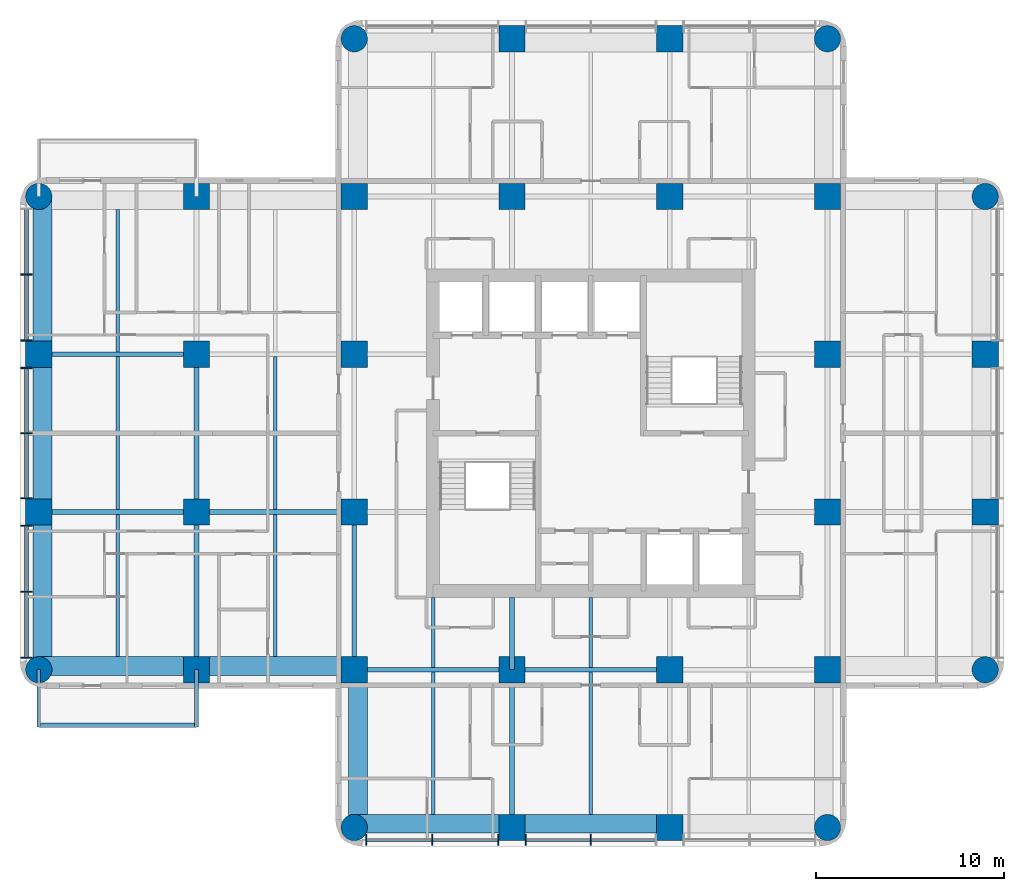
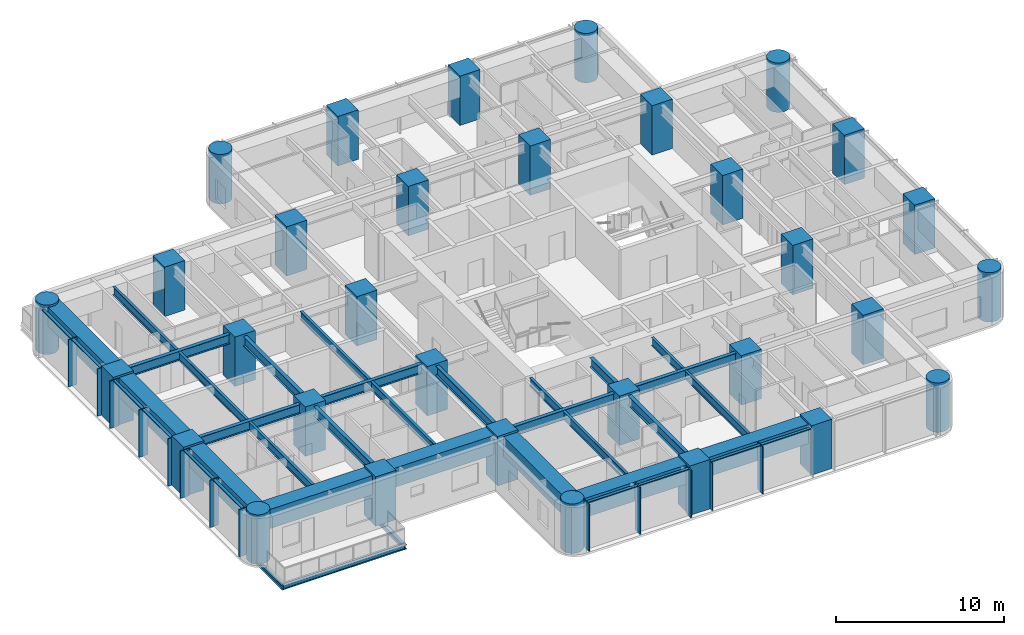
# One storey, part 1 of 11: 32 columns, 30 beams, 23 members, 2 elements without a shape of their own.
"""IFC4 building model written with IfcOpenShell, lengths in metres."""

from ifc_helpers import new_model, si_unit, direction, frame, origin, origin_2d, place, context, subcontext, project, spatial, rectangle, circle, i_section, extrude, material, material_profile, profile_set, type_object, element, aggregate, save


model = new_model("IFC4")

# Units and contexts
model_context = context("Model", 3, precision=1e-05, world=origin(), true_north=direction((0.0, 1.0)))
body_context = subcontext(model_context, "Body", "Model", "MODEL_VIEW")
ifc_project = project(units=[si_unit("LENGTHUNIT", "METRE"), si_unit("AREAUNIT", "SQUARE_METRE"), si_unit("VOLUMEUNIT", "CUBIC_METRE"), si_unit("PLANEANGLEUNIT", "RADIAN"), si_unit("MASSUNIT", "GRAM", prefix="KILO")], contexts=[model_context])

# Site, building, storey
site_placement = place(None, origin())
site = spatial("IfcSite", under=ifc_project, at=site_placement, CompositionType="ELEMENT")
building_placement = place(site_placement, origin())
building = spatial("IfcBuilding", under=site, at=building_placement, Name="Torre Alcanfor", CompositionType="ELEMENT")
storey_placement = place(building_placement, frame((0.0, 0.0, 197.699951171875)))
storey = spatial("IfcBuildingStorey", under=building, at=storey_placement, Name="L51", CompositionType="ELEMENT", Elevation=197.699951171875)

# Columns
ifc_material_1 = material(Name="Concrete f'c 70 MPa", Category="concrete")
ifc_material_profile_1 = material_profile(ifc_material_1, rectangle(XDim=1.39990234375, YDim=1.39990234375, at=origin_2d()), Name="1400x1400")
ifc_profile_set_1 = profile_set([ifc_material_profile_1], Name="Concrete f'c 70 MPa")
column_type_1 = type_object("IfcColumnType", Name="RC column 1400x1400 f'c70", PredefinedType="COLUMN", material=ifc_profile_set_1)
for number, where, z_axis, x_axis, name in (
    (1, (0.0, 25.199951171875, 0.0), (0.0, 0.0, 1.0), (1.0, 0.0, 0.0), "Column 1/F L51"),
    (2, (0.0, 33.60009765625, 0.0), (0.0, 0.0, 1.0), (1.0, 0.0, 0.0), "Column 1/G L51"),
    (3, (8.39990234375, 16.800048828125, 0.0), (0.0, 0.0, 1.0), (1.0, 0.0, 0.0), "Column 2/E L51"),
    (4, (8.39990234375, 25.199951171875, 0.0), (0.0, 0.0, 1.0), (1.0, 0.0, 0.0), "Column 2/F L51"),
    (5, (8.39990234375, 33.60009765625, 0.0), (0.0, 0.0, 1.0), (1.0, 0.0, 0.0), "Column 2/G L51"),
    (6, (8.39990234375, 42.0, 0.0), (0.0, 0.0, 1.0), (1.0, 0.0, 0.0), "Column 2/H L51"),
    (7, (16.800048828125, 16.800048828125, 0.0), (0.0, 0.0, 1.0), (1.0, 0.0, 0.0), "Column 3/E L51"),
    (8, (16.800048828125, 25.199951171875, 0.0), (0.0, 0.0, 1.0), (1.0, 0.0, 0.0), "Column 3/F L51"),
    (9, (16.800048828125, 33.60009765625, 0.0), (0.0, 0.0, 1.0), (1.0, 0.0, 0.0), "Column 3/G L51"),
    (10, (16.800048828125, 42.0, 0.0), (0.0, 0.0, 1.0), (1.0, 0.0, 0.0), "Column 3/H L51"),
    (11, (25.199951171875, 8.39990234375, 0.0), (0.0, 0.0, 1.0), (1.0, 0.0, 0.0), "Column 4/D L51"),
    (12, (25.199951171875, 16.800048828125, 0.0), (0.0, 0.0, 1.0), (1.0, 0.0, 0.0), "Column 4/E L51"),
    (13, (25.199951171875, 42.0, 0.0), (0.0, 0.0, 1.0), (1.0, 0.0, 0.0), "Column 4/H L51"),
    (14, (25.199951171875, 50.39990234375, 0.0), (0.0, 0.0, 1.0), (1.0, 0.0, 0.0), "Column 4/J L51"),
    (15, (33.60009765625, 8.39990234375, 0.0), (0.0, 0.0, 1.0), (1.0, 0.0, 0.0), "Column 5/D L51"),
    (16, (33.60009765625, 16.800048828125, 0.0), (0.0, 0.0, 1.0), (1.0, 0.0, 0.0), "Column 5/E L51"),
    (17, (33.60009765625, 42.0, 0.0), (0.0, 0.0, 1.0), (1.0, 0.0, 0.0), "Column 5/H L51"),
    (18, (33.60009765625, 50.39990234375, 0.0), (0.0, 0.0, 1.0), (1.0, 0.0, 0.0), "Column 5/J L51"),
    (19, (42.0, 16.800048828125, 0.0), (0.0, 0.0, 1.0), (1.0, 0.0, 0.0), "Column 6/E L51"),
    (20, (42.0, 25.199951171875, 0.0), (0.0, 0.0, 1.0), (1.0, 0.0, 0.0), "Column 6/F L51"),
    (21, (42.0, 33.60009765625, 0.0), (0.0, 0.0, 1.0), (1.0, 0.0, 0.0), "Column 6/G L51"),
    (22, (42.0, 42.0, 0.0), (0.0, 0.0, 1.0), (1.0, 0.0, 0.0), "Column 6/H L51"),
    (23, (50.39990234375, 25.199951171875, 0.0), (0.0, 0.0, 1.0), (1.0, 0.0, 0.0), "Column 7/F L51"),
    (24, (50.39990234375, 33.60009765625, 0.0), (0.0, 0.0, 1.0), (1.0, 0.0, 0.0), "Column 7/G L51"),
):
    element("IfcColumn", number, at=place(storey_placement, frame(where, z_axis=z_axis, x_axis=x_axis)), inside=storey, type_object=column_type_1, Name=name, PredefinedType="COLUMN", context=body_context, shape_type="SweptSolid", body=[
        extrude(rectangle(XDim=1.39990234375, YDim=1.39990234375, at=origin_2d()), origin(), (0.0, 0.0, 1.0), 3.60009765625),
    ])
ifc_material_2 = material(Name="Concrete f'c 70 MPa", Category="concrete")
ifc_material_profile_2 = material_profile(ifc_material_2, circle(Radius=0.699951171875, at=origin_2d()), Name="D1400")
ifc_profile_set_2 = profile_set([ifc_material_profile_2], Name="Concrete f'c 70 MPa")
column_type_2 = type_object("IfcColumnType", Name="RC column D1400 f'c70", PredefinedType="COLUMN", material=ifc_profile_set_2)
for number, where, z_axis, x_axis, name in (
    (25, (0.0, 16.800048828125, 0.0), (0.0, 0.0, 1.0), (1.0, 0.0, 0.0), "Column 1/E L51"),
    (26, (0.0, 42.0, 0.0), (0.0, 0.0, 1.0), (1.0, 0.0, 0.0), "Column 1/H L51"),
    (27, (16.800048828125, 8.39990234375, 0.0), (0.0, 0.0, 1.0), (1.0, 0.0, 0.0), "Column 3/D L51"),
    (28, (16.800048828125, 50.39990234375, 0.0), (0.0, 0.0, 1.0), (1.0, 0.0, 0.0), "Column 3/J L51"),
    (29, (42.0, 8.39990234375, 0.0), (0.0, 0.0, 1.0), (1.0, 0.0, 0.0), "Column 6/D L51"),
    (30, (42.0, 50.39990234375, 0.0), (0.0, 0.0, 1.0), (1.0, 0.0, 0.0), "Column 6/J L51"),
    (31, (50.39990234375, 16.800048828125, 0.0), (0.0, 0.0, 1.0), (1.0, 0.0, 0.0), "Column 7/E L51"),
    (32, (50.39990234375, 42.0, 0.0), (0.0, 0.0, 1.0), (1.0, 0.0, 0.0), "Column 7/H L51"),
):
    element("IfcColumn", number, at=place(storey_placement, frame(where, z_axis=z_axis, x_axis=x_axis)), inside=storey, type_object=column_type_2, Name=name, PredefinedType="COLUMN", context=body_context, shape_type="SweptSolid", body=[
        extrude(circle(Radius=0.699951171875, at=origin_2d()), origin(), (0.0, 0.0, 1.0), 3.60009765625),
    ])

# Beams
ifc_material_3 = material(Name="Steel ASTM A992 Grade 50", Category="steel")
ifc_material_profile_3 = material_profile(ifc_material_3, i_section(OverallWidth=0.205322265625, OverallDepth=0.309814453125, WebThickness=0.00927734375, FlangeThickness=0.016357421875, at=origin_2d()), Name="W12x50")
ifc_profile_set_3 = profile_set([ifc_material_profile_3], Name="Steel ASTM A992 Grade 50")
beam_type_1 = type_object("IfcBeamType", Name="Balcony cantilever beam W12x50", PredefinedType="BEAM", material=ifc_profile_set_3)
for number, where, z_axis, x_axis, name in (
    (33, (8.39990234375, 16.800048828125, -0.35498046875), (0.0, -1.0, 0.0), (1.0, 0.0, 0.0), "Balcony cantilever beam L51-W1 1"),
    (34, (0.0, 16.800048828125, -0.35498046875), (0.0, -1.0, 0.0), (1.0, 0.0, 0.0), "Balcony cantilever beam L51-W1 2"),
):
    element("IfcBeam", number, at=place(storey_placement, frame(where, z_axis=z_axis, x_axis=x_axis)), inside=storey, type_object=beam_type_1, Name=name, PredefinedType="BEAM", context=body_context, shape_type="SweptSolid", body=[
        extrude(i_section(OverallWidth=0.205322265625, OverallDepth=0.309814453125, WebThickness=0.00927734375, FlangeThickness=0.016357421875, at=origin_2d()), origin(), (0.0, 0.0, 1.0), 3.050048828125),
    ])
ifc_material_4 = material(Name="Steel ASTM A992 Grade 50", Category="steel")
ifc_material_profile_4 = material_profile(ifc_material_4, i_section(OverallWidth=0.203369140625, OverallDepth=0.30224609375, WebThickness=0.007568359375, FlangeThickness=0.01318359375, at=origin_2d()), Name="W12x40")
ifc_profile_set_4 = profile_set([ifc_material_profile_4], Name="Steel ASTM A992 Grade 50")
beam_type_2 = type_object("IfcBeamType", Name="Balcony edge trimmer W12x40", PredefinedType="BEAM", material=ifc_profile_set_4)
beam_1_placement = place(storey_placement, frame((8.39990234375, 13.851806640625, -0.35107421875), z_axis=(-1.0, 0.0, 0.0), x_axis=(0.0, -1.0, 0.0)))
element("IfcBeam", 35, at=beam_1_placement, inside=storey, type_object=beam_type_2, Name="Balcony edge trimmer L51-W1", PredefinedType="BEAM", context=body_context, shape_type="SweptSolid", body=[
    extrude(i_section(OverallWidth=0.203369140625, OverallDepth=0.30224609375, WebThickness=0.007568359375, FlangeThickness=0.01318359375, at=origin_2d()), origin(), (0.0, 0.0, 1.0), 8.39990234375),
])

# Curtain wall, members
ifc_material_5 = material(Name="Aluminium and glass", Category="aluminium")
curtain_wall_type = type_object("IfcCurtainWallType", Name="CW-A unitised apartment glazing with vertical FIN", PredefinedType="NOTDEFINED", material=ifc_material_5)
curtain_wall_1_placement = place(storey_placement, origin())
curtain_wall_1 = element("IfcCurtainWall", 36, at=curtain_wall_1_placement, inside=storey, type_object=curtain_wall_type, Name="Curtain wall CW-A L51 2", PredefinedType="NOTDEFINED")
ifc_material_6 = material(Name="Bronze anodised aluminium", Category="aluminium")
ifc_material_profile_5 = material_profile(ifc_material_6, rectangle(XDim=0.60009765625, YDim=0.06494140625, at=origin_2d()), Name="CW-A mullion 65x600")
ifc_profile_set_5 = profile_set([ifc_material_profile_5], Name="Bronze anodised aluminium")
member_type_1 = type_object("IfcMemberType", Name="CW-A mullion with vertical FIN 65x600", PredefinedType="MULLION", material=ifc_profile_set_5)
member_1_placement = place(storey_placement, frame((-0.64990234375, 37.846435546875, 0.0), z_axis=(0.0, 0.0, 1.0), x_axis=(1.0, 0.0, 0.0)))
member_1 = element("IfcMember", 37, at=member_1_placement, type_object=member_type_1, Name="CW-A mullion 1.2", PredefinedType="MULLION", context=body_context, shape_type="SweptSolid", body=[
    extrude(rectangle(XDim=0.60009765625, YDim=0.06494140625, at=origin_2d()), origin(), (0.0, 0.0, 1.0), 3.449951171875),
])
member_2_placement = place(storey_placement, frame((-0.64990234375, 34.33740234375, 0.0), z_axis=(0.0, 0.0, 1.0), x_axis=(1.0, 0.0, 0.0)))
member_2 = element("IfcMember", 38, at=member_2_placement, type_object=member_type_1, Name="CW-A mullion 1.3", PredefinedType="MULLION", context=body_context, shape_type="SweptSolid", body=[
    extrude(rectangle(XDim=0.60009765625, YDim=0.06494140625, at=origin_2d()), origin(), (0.0, 0.0, 1.0), 3.449951171875),
])
member_3_placement = place(storey_placement, frame((-0.64990234375, 32.862548828125, 0.0), z_axis=(0.0, 0.0, 1.0), x_axis=(1.0, 0.0, 0.0)))
member_3 = element("IfcMember", 39, at=member_3_placement, type_object=member_type_1, Name="CW-A mullion 2.1", PredefinedType="MULLION", context=body_context, shape_type="SweptSolid", body=[
    extrude(rectangle(XDim=0.60009765625, YDim=0.06494140625, at=origin_2d()), origin(), (0.0, 0.0, 1.0), 3.449951171875),
])
member_4_placement = place(storey_placement, frame((-0.64990234375, 29.39990234375, 0.0), z_axis=(0.0, 0.0, 1.0), x_axis=(1.0, 0.0, 0.0)))
member_4 = element("IfcMember", 40, at=member_4_placement, type_object=member_type_1, Name="CW-A mullion 2.2", PredefinedType="MULLION", context=body_context, shape_type="SweptSolid", body=[
    extrude(rectangle(XDim=0.60009765625, YDim=0.06494140625, at=origin_2d()), origin(), (0.0, 0.0, 1.0), 3.449951171875),
])
member_5_placement = place(storey_placement, frame((-0.64990234375, 25.9375, 0.0), z_axis=(0.0, 0.0, 1.0), x_axis=(1.0, 0.0, 0.0)))
member_5 = element("IfcMember", 41, at=member_5_placement, type_object=member_type_1, Name="CW-A mullion 2.3", PredefinedType="MULLION", context=body_context, shape_type="SweptSolid", body=[
    extrude(rectangle(XDim=0.60009765625, YDim=0.06494140625, at=origin_2d()), origin(), (0.0, 0.0, 1.0), 3.449951171875),
])
member_6_placement = place(storey_placement, frame((-0.64990234375, 24.46240234375, 0.0), z_axis=(0.0, 0.0, 1.0), x_axis=(1.0, 0.0, 0.0)))
member_6 = element("IfcMember", 42, at=member_6_placement, type_object=member_type_1, Name="CW-A mullion 3.1", PredefinedType="MULLION", context=body_context, shape_type="SweptSolid", body=[
    extrude(rectangle(XDim=0.60009765625, YDim=0.06494140625, at=origin_2d()), origin(), (0.0, 0.0, 1.0), 3.449951171875),
])
member_7_placement = place(storey_placement, frame((-0.64990234375, 20.95361328125, 0.0), z_axis=(0.0, 0.0, 1.0), x_axis=(1.0, 0.0, 0.0)))
member_7 = element("IfcMember", 43, at=member_7_placement, type_object=member_type_1, Name="CW-A mullion 3.2", PredefinedType="MULLION", context=body_context, shape_type="SweptSolid", body=[
    extrude(rectangle(XDim=0.60009765625, YDim=0.06494140625, at=origin_2d()), origin(), (0.0, 0.0, 1.0), 3.449951171875),
])
member_8_placement = place(storey_placement, frame((-0.64990234375, 17.444580078125, 0.0), z_axis=(0.0, 0.0, 1.0), x_axis=(1.0, 0.0, 0.0)))
member_8 = element("IfcMember", 44, at=member_8_placement, type_object=member_type_1, Name="CW-A mullion 3.3", PredefinedType="MULLION", context=body_context, shape_type="SweptSolid", body=[
    extrude(rectangle(XDim=0.60009765625, YDim=0.06494140625, at=origin_2d()), origin(), (0.0, 0.0, 1.0), 3.449951171875),
])

curtain_wall_2_placement = place(storey_placement, origin())
curtain_wall_2 = element("IfcCurtainWall", 45, at=curtain_wall_2_placement, inside=storey, type_object=curtain_wall_type, Name="Curtain wall CW-A L51 5", PredefinedType="NOTDEFINED")
member_9_placement = place(storey_placement, frame((17.444580078125, 7.75, 0.0), z_axis=(0.0, 0.0, 1.0), x_axis=(0.0, 1.0, 0.0)))
member_9 = element("IfcMember", 46, at=member_9_placement, type_object=member_type_1, Name="CW-A mullion 1.1", PredefinedType="MULLION", context=body_context, shape_type="SweptSolid", body=[
    extrude(rectangle(XDim=0.60009765625, YDim=0.06494140625, at=origin_2d()), origin(), (0.0, 0.0, 1.0), 3.449951171875),
])
member_10_placement = place(storey_placement, frame((20.95361328125, 7.75, 0.0), z_axis=(0.0, 0.0, 1.0), x_axis=(0.0, 1.0, 0.0)))
member_10 = element("IfcMember", 47, at=member_10_placement, type_object=member_type_1, Name="CW-A mullion 1.2", PredefinedType="MULLION", context=body_context, shape_type="SweptSolid", body=[
    extrude(rectangle(XDim=0.60009765625, YDim=0.06494140625, at=origin_2d()), origin(), (0.0, 0.0, 1.0), 3.449951171875),
])
member_11_placement = place(storey_placement, frame((24.46240234375, 7.75, 0.0), z_axis=(0.0, 0.0, 1.0), x_axis=(0.0, 1.0, 0.0)))
member_11 = element("IfcMember", 48, at=member_11_placement, type_object=member_type_1, Name="CW-A mullion 1.3", PredefinedType="MULLION", context=body_context, shape_type="SweptSolid", body=[
    extrude(rectangle(XDim=0.60009765625, YDim=0.06494140625, at=origin_2d()), origin(), (0.0, 0.0, 1.0), 3.449951171875),
])
member_12_placement = place(storey_placement, frame((25.9375, 7.75, 0.0), z_axis=(0.0, 0.0, 1.0), x_axis=(0.0, 1.0, 0.0)))
member_12 = element("IfcMember", 49, at=member_12_placement, type_object=member_type_1, Name="CW-A mullion 2.1", PredefinedType="MULLION", context=body_context, shape_type="SweptSolid", body=[
    extrude(rectangle(XDim=0.60009765625, YDim=0.06494140625, at=origin_2d()), origin(), (0.0, 0.0, 1.0), 3.449951171875),
])
member_13_placement = place(storey_placement, frame((29.39990234375, 7.75, 0.0), z_axis=(0.0, 0.0, 1.0), x_axis=(0.0, 1.0, 0.0)))
member_13 = element("IfcMember", 50, at=member_13_placement, type_object=member_type_1, Name="CW-A mullion 2.2", PredefinedType="MULLION", context=body_context, shape_type="SweptSolid", body=[
    extrude(rectangle(XDim=0.60009765625, YDim=0.06494140625, at=origin_2d()), origin(), (0.0, 0.0, 1.0), 3.449951171875),
])

# Member
ifc_material_7 = material(Name="Extruded aluminium", Category="aluminium")
ifc_material_profile_6 = material_profile(ifc_material_7, rectangle(XDim=0.199951171875, YDim=0.06494140625, at=origin_2d()), Name="CW-A transom 200x65")
ifc_profile_set_6 = profile_set([ifc_material_profile_6], Name="Extruded aluminium")
member_type_2 = type_object("IfcMemberType", Name="CW-A transom 65x200", PredefinedType="USERDEFINED", material=ifc_profile_set_6)
member_14_placement = place(storey_placement, frame((-0.64990234375, 41.322998046875, 3.41748046875), z_axis=(0.0, -1.0, 0.0), x_axis=(1.0, 0.0, 0.0)))
member_14 = element("IfcMember", 51, at=member_14_placement, type_object=member_type_2, Name="CW-A transom 1.1.2", ObjectType="TRANSOM", PredefinedType="USERDEFINED", context=body_context, shape_type="SweptSolid", body=[
    extrude(rectangle(XDim=0.199951171875, YDim=0.06494140625, at=origin_2d()), origin(), (0.0, 0.0, 1.0), 3.444091796875),
])

member_15_placement = place(storey_placement, frame((-0.64990234375, 37.81396484375, 3.41748046875), z_axis=(0.0, -1.0, 0.0), x_axis=(1.0, 0.0, 0.0)))
member_15 = element("IfcMember", 52, at=member_15_placement, type_object=member_type_2, Name="CW-A transom 1.2.2", ObjectType="TRANSOM", PredefinedType="USERDEFINED", context=body_context, shape_type="SweptSolid", body=[
    extrude(rectangle(XDim=0.199951171875, YDim=0.06494140625, at=origin_2d()), origin(), (0.0, 0.0, 1.0), 3.44384765625),
])

member_16_placement = place(storey_placement, frame((-0.64990234375, 32.830078125, 3.41748046875), z_axis=(0.0, -1.0, 0.0), x_axis=(1.0, 0.0, 0.0)))
member_16 = element("IfcMember", 53, at=member_16_placement, type_object=member_type_2, Name="CW-A transom 2.1.2", ObjectType="TRANSOM", PredefinedType="USERDEFINED", context=body_context, shape_type="SweptSolid", body=[
    extrude(rectangle(XDim=0.199951171875, YDim=0.06494140625, at=origin_2d()), origin(), (0.0, 0.0, 1.0), 3.3974609375),
])

member_17_placement = place(storey_placement, frame((-0.64990234375, 29.367431640625, 3.41748046875), z_axis=(0.0, -1.0, 0.0), x_axis=(1.0, 0.0, 0.0)))
member_17 = element("IfcMember", 54, at=member_17_placement, type_object=member_type_2, Name="CW-A transom 2.2.2", ObjectType="TRANSOM", PredefinedType="USERDEFINED", context=body_context, shape_type="SweptSolid", body=[
    extrude(rectangle(XDim=0.199951171875, YDim=0.06494140625, at=origin_2d()), origin(), (0.0, 0.0, 1.0), 3.3974609375),
])

member_18_placement = place(storey_placement, frame((-0.64990234375, 24.429931640625, 3.41748046875), z_axis=(0.0, -1.0, 0.0), x_axis=(1.0, 0.0, 0.0)))
member_18 = element("IfcMember", 55, at=member_18_placement, type_object=member_type_2, Name="CW-A transom 3.1.2", ObjectType="TRANSOM", PredefinedType="USERDEFINED", context=body_context, shape_type="SweptSolid", body=[
    extrude(rectangle(XDim=0.199951171875, YDim=0.06494140625, at=origin_2d()), origin(), (0.0, 0.0, 1.0), 3.44384765625),
])

member_19_placement = place(storey_placement, frame((-0.64990234375, 20.9208984375, 3.41748046875), z_axis=(0.0, -1.0, 0.0), x_axis=(1.0, 0.0, 0.0)))
member_19 = element("IfcMember", 56, at=member_19_placement, type_object=member_type_2, Name="CW-A transom 3.2.2", ObjectType="TRANSOM", PredefinedType="USERDEFINED", context=body_context, shape_type="SweptSolid", body=[
    extrude(rectangle(XDim=0.199951171875, YDim=0.06494140625, at=origin_2d()), origin(), (0.0, 0.0, 1.0), 3.44384765625),
])

aggregate(curtain_wall_1, [member_1, member_2, member_14, member_15, member_3, member_4, member_5, member_16, member_17, member_6, member_7, member_8, member_18, member_19])

member_20_placement = place(storey_placement, frame((17.47705078125, 7.75, 3.41748046875), z_axis=(1.0, 0.0, 0.0), x_axis=(0.0, 1.0, 0.0)))
member_20 = element("IfcMember", 57, at=member_20_placement, type_object=member_type_2, Name="CW-A transom 1.1.2", ObjectType="TRANSOM", PredefinedType="USERDEFINED", context=body_context, shape_type="SweptSolid", body=[
    extrude(rectangle(XDim=0.199951171875, YDim=0.06494140625, at=origin_2d()), origin(), (0.0, 0.0, 1.0), 3.44384765625),
])

member_21_placement = place(storey_placement, frame((20.986083984375, 7.75, 3.41748046875), z_axis=(1.0, 0.0, 0.0), x_axis=(0.0, 1.0, 0.0)))
member_21 = element("IfcMember", 58, at=member_21_placement, type_object=member_type_2, Name="CW-A transom 1.2.2", ObjectType="TRANSOM", PredefinedType="USERDEFINED", context=body_context, shape_type="SweptSolid", body=[
    extrude(rectangle(XDim=0.199951171875, YDim=0.06494140625, at=origin_2d()), origin(), (0.0, 0.0, 1.0), 3.44384765625),
])

member_22_placement = place(storey_placement, frame((25.969970703125, 7.75, 3.41748046875), z_axis=(1.0, 0.0, 0.0), x_axis=(0.0, 1.0, 0.0)))
member_22 = element("IfcMember", 59, at=member_22_placement, type_object=member_type_2, Name="CW-A transom 2.1.2", ObjectType="TRANSOM", PredefinedType="USERDEFINED", context=body_context, shape_type="SweptSolid", body=[
    extrude(rectangle(XDim=0.199951171875, YDim=0.06494140625, at=origin_2d()), origin(), (0.0, 0.0, 1.0), 3.3974609375),
])

member_23_placement = place(storey_placement, frame((29.4326171875, 7.75, 3.41748046875), z_axis=(1.0, 0.0, 0.0), x_axis=(0.0, 1.0, 0.0)))
member_23 = element("IfcMember", 60, at=member_23_placement, type_object=member_type_2, Name="CW-A transom 2.2.2", ObjectType="TRANSOM", PredefinedType="USERDEFINED", context=body_context, shape_type="SweptSolid", body=[
    extrude(rectangle(XDim=0.199951171875, YDim=0.06494140625, at=origin_2d()), origin(), (0.0, 0.0, 1.0), 3.3974609375),
])

aggregate(curtain_wall_2, [member_9, member_10, member_11, member_20, member_21, member_12, member_13, member_22, member_23])

# Beams
ifc_material_8 = material(Name="Steel ASTM A992 Grade 50", Category="steel")
ifc_material_profile_7 = material_profile(ifc_material_8, i_section(OverallWidth=0.25390625, OverallDepth=0.683349609375, WebThickness=0.012451171875, FlangeThickness=0.01904296875, at=origin_2d()), Name="W27x94")
ifc_profile_set_7 = profile_set([ifc_material_profile_7], Name="Steel ASTM A992 Grade 50")
beam_type_3 = type_object("IfcBeamType", Name="Girder W27x94", PredefinedType="BEAM", material=ifc_profile_set_7)
beam_2_placement = place(storey_placement, frame((16.800048828125, 16.800048828125, 3.1083984375), z_axis=(1.0, 0.0, 0.0), x_axis=(0.0, 1.0, 0.0)))
element("IfcBeam", 61, at=beam_2_placement, inside=storey, type_object=beam_type_3, Name="Beam 3E-4E under L52", PredefinedType="BEAM", context=body_context, shape_type="SweptSolid", body=[
    extrude(i_section(OverallWidth=0.25390625, OverallDepth=0.683349609375, WebThickness=0.012451171875, FlangeThickness=0.01904296875, at=origin_2d()), origin(), (0.0, 0.0, 1.0), 8.39990234375),
])
beam_3_placement = place(storey_placement, frame((25.199951171875, 16.800048828125, 3.1083984375), z_axis=(1.0, 0.0, 0.0), x_axis=(0.0, 1.0, 0.0)))
element("IfcBeam", 62, at=beam_3_placement, inside=storey, type_object=beam_type_3, Name="Beam 4E-5E under L52", PredefinedType="BEAM", context=body_context, shape_type="SweptSolid", body=[
    extrude(i_section(OverallWidth=0.25390625, OverallDepth=0.683349609375, WebThickness=0.012451171875, FlangeThickness=0.01904296875, at=origin_2d()), origin(), (0.0, 0.0, 1.0), 8.400146484375),
])
beam_4_placement = place(storey_placement, frame((0.0, 25.199951171875, 3.1083984375), z_axis=(1.0, 0.0, 0.0), x_axis=(0.0, 1.0, 0.0)))
element("IfcBeam", 63, at=beam_4_placement, inside=storey, type_object=beam_type_3, Name="Beam 1F-2F under L52", PredefinedType="BEAM", context=body_context, shape_type="SweptSolid", body=[
    extrude(i_section(OverallWidth=0.25390625, OverallDepth=0.683349609375, WebThickness=0.012451171875, FlangeThickness=0.01904296875, at=origin_2d()), origin(), (0.0, 0.0, 1.0), 8.39990234375),
])
beam_5_placement = place(storey_placement, frame((8.39990234375, 25.199951171875, 3.1083984375), z_axis=(1.0, 0.0, 0.0), x_axis=(0.0, 1.0, 0.0)))
element("IfcBeam", 64, at=beam_5_placement, inside=storey, type_object=beam_type_3, Name="Beam 2F-3F under L52", PredefinedType="BEAM", context=body_context, shape_type="SweptSolid", body=[
    extrude(i_section(OverallWidth=0.25390625, OverallDepth=0.683349609375, WebThickness=0.012451171875, FlangeThickness=0.01904296875, at=origin_2d()), origin(), (0.0, 0.0, 1.0), 8.400146484375),
])
for number, where, z_axis, x_axis, name in (
    (65, (0.0, 33.60009765625, 3.1083984375), (1.0, 0.0, 0.0), (0.0, 1.0, 0.0), "Beam 1G-2G under L52"),
    (66, (8.39990234375, 16.800048828125, 3.1083984375), (0.0, 1.0, 0.0), (-1.0, 0.0, 0.0), "Beam 2E-2F under L52"),
):
    element("IfcBeam", number, at=place(storey_placement, frame(where, z_axis=z_axis, x_axis=x_axis)), inside=storey, type_object=beam_type_3, Name=name, PredefinedType="BEAM", context=body_context, shape_type="SweptSolid", body=[
        extrude(i_section(OverallWidth=0.25390625, OverallDepth=0.683349609375, WebThickness=0.012451171875, FlangeThickness=0.01904296875, at=origin_2d()), origin(), (0.0, 0.0, 1.0), 8.39990234375),
    ])
beam_6_placement = place(storey_placement, frame((8.39990234375, 25.199951171875, 3.1083984375), z_axis=(0.0, 1.0, 0.0), x_axis=(-1.0, 0.0, 0.0)))
element("IfcBeam", 67, at=beam_6_placement, inside=storey, type_object=beam_type_3, Name="Beam 2F-2G under L52", PredefinedType="BEAM", context=body_context, shape_type="SweptSolid", body=[
    extrude(i_section(OverallWidth=0.25390625, OverallDepth=0.683349609375, WebThickness=0.012451171875, FlangeThickness=0.01904296875, at=origin_2d()), origin(), (0.0, 0.0, 1.0), 8.400146484375),
])
beam_7_placement = place(storey_placement, frame((16.800048828125, 16.800048828125, 3.1083984375), z_axis=(0.0, 1.0, 0.0), x_axis=(-1.0, 0.0, 0.0)))
element("IfcBeam", 68, at=beam_7_placement, inside=storey, type_object=beam_type_3, Name="Beam 3E-3F under L52", PredefinedType="BEAM", context=body_context, shape_type="SweptSolid", body=[
    extrude(i_section(OverallWidth=0.25390625, OverallDepth=0.683349609375, WebThickness=0.012451171875, FlangeThickness=0.01904296875, at=origin_2d()), origin(), (0.0, 0.0, 1.0), 8.39990234375),
])
beam_8_placement = place(storey_placement, frame((25.199951171875, 8.39990234375, 3.1083984375), z_axis=(0.0, 1.0, 0.0), x_axis=(-1.0, 0.0, 0.0)))
element("IfcBeam", 69, at=beam_8_placement, inside=storey, type_object=beam_type_3, Name="Beam 4D-4E under L52", PredefinedType="BEAM", context=body_context, shape_type="SweptSolid", body=[
    extrude(i_section(OverallWidth=0.25390625, OverallDepth=0.683349609375, WebThickness=0.012451171875, FlangeThickness=0.01904296875, at=origin_2d()), origin(), (0.0, 0.0, 1.0), 8.400146484375),
])
ifc_material_9 = material(Name="Steel ASTM A992 Grade 50", Category="steel")
ifc_material_profile_8 = material_profile(ifc_material_9, i_section(OverallWidth=0.25390625, OverallDepth=0.683349609375, WebThickness=0.012451171875, FlangeThickness=0.01904296875, at=origin_2d()), Name="W27x94")
ifc_profile_set_8 = profile_set([ifc_material_profile_8], Name="Steel ASTM A992 Grade 50")
beam_type_4 = type_object("IfcBeamType", Name="Girder, part bay W27x94", PredefinedType="BEAM", material=ifc_profile_set_8)
beam_9_placement = place(storey_placement, frame((25.199951171875, 16.800048828125, 3.1083984375), z_axis=(0.0, 1.0, 0.0), x_axis=(-1.0, 0.0, 0.0)))
element("IfcBeam", 70, at=beam_9_placement, inside=storey, type_object=beam_type_4, Name="Beam 4E-420_65 under L52", PredefinedType="BEAM", context=body_context, shape_type="SweptSolid", body=[
    extrude(i_section(OverallWidth=0.25390625, OverallDepth=0.683349609375, WebThickness=0.012451171875, FlangeThickness=0.01904296875, at=origin_2d()), origin(), (0.0, 0.0, 1.0), 3.849853515625),
])
ifc_material_10 = material(Name="Concrete f'c 70 MPa", Category="concrete")
ifc_material_profile_9 = material_profile(ifc_material_10, rectangle(XDim=1.0, YDim=1.39990234375, at=origin_2d()), Name="1000x1400")
ifc_profile_set_9 = profile_set([ifc_material_profile_9], Name="Concrete f'c 70 MPa")
beam_type_5 = type_object("IfcBeamType", Name="RC perimeter beam 1000x1400", PredefinedType="BEAM", material=ifc_profile_set_9)
beam_10_placement = place(storey_placement, frame((16.800048828125, 8.60009765625, 2.75), z_axis=(1.0, 0.0, 0.0), x_axis=(0.0, 1.0, 0.0)))
element("IfcBeam", 71, at=beam_10_placement, inside=storey, type_object=beam_type_5, Name="Beam 3D-4D under L52", PredefinedType="BEAM", context=body_context, shape_type="SweptSolid", body=[
    extrude(rectangle(XDim=1.0, YDim=1.39990234375, at=origin_2d()), origin(), (0.0, 0.0, 1.0), 8.27294921875),
])
beam_11_placement = place(storey_placement, frame((25.326904296875, 8.60009765625, 2.75), z_axis=(1.0, 0.0, 0.0), x_axis=(0.0, 1.0, 0.0)))
element("IfcBeam", 72, at=beam_11_placement, inside=storey, type_object=beam_type_5, Name="Beam 4D-5D under L52", PredefinedType="BEAM", context=body_context, shape_type="SweptSolid", body=[
    extrude(rectangle(XDim=1.0, YDim=1.39990234375, at=origin_2d()), origin(), (0.0, 0.0, 1.0), 8.14599609375),
])
beam_12_placement = place(storey_placement, frame((0.0, 17.0, 2.75), z_axis=(1.0, 0.0, 0.0), x_axis=(0.0, 1.0, 0.0)))
element("IfcBeam", 73, at=beam_12_placement, inside=storey, type_object=beam_type_5, Name="Beam 1E-2E under L52", PredefinedType="BEAM", context=body_context, shape_type="SweptSolid", body=[
    extrude(rectangle(XDim=1.0, YDim=1.39990234375, at=origin_2d()), origin(), (0.0, 0.0, 1.0), 8.27294921875),
])
beam_13_placement = place(storey_placement, frame((8.527099609375, 17.0, 2.75), z_axis=(1.0, 0.0, 0.0), x_axis=(0.0, 1.0, 0.0)))
element("IfcBeam", 74, at=beam_13_placement, inside=storey, type_object=beam_type_5, Name="Beam 2E-3E under L52", PredefinedType="BEAM", context=body_context, shape_type="SweptSolid", body=[
    extrude(rectangle(XDim=1.0, YDim=1.39990234375, at=origin_2d()), origin(), (0.0, 0.0, 1.0), 8.14599609375),
])
beam_14_placement = place(storey_placement, frame((0.199951171875, 16.800048828125, 2.75), z_axis=(0.0, 1.0, 0.0), x_axis=(-1.0, 0.0, 0.0)))
element("IfcBeam", 75, at=beam_14_placement, inside=storey, type_object=beam_type_5, Name="Beam 1E-1F under L52", PredefinedType="BEAM", context=body_context, shape_type="SweptSolid", body=[
    extrude(rectangle(XDim=1.0, YDim=1.39990234375, at=origin_2d()), origin(), (0.0, 0.0, 1.0), 8.27294921875),
])
beam_15_placement = place(storey_placement, frame((0.199951171875, 25.326904296875, 2.75), z_axis=(0.0, 1.0, 0.0), x_axis=(-1.0, 0.0, 0.0)))
element("IfcBeam", 76, at=beam_15_placement, inside=storey, type_object=beam_type_5, Name="Beam 1F-1G under L52", PredefinedType="BEAM", context=body_context, shape_type="SweptSolid", body=[
    extrude(rectangle(XDim=1.0, YDim=1.39990234375, at=origin_2d()), origin(), (0.0, 0.0, 1.0), 8.14599609375),
])
beam_16_placement = place(storey_placement, frame((0.199951171875, 33.72705078125, 2.75), z_axis=(0.0, 1.0, 0.0), x_axis=(-1.0, 0.0, 0.0)))
element("IfcBeam", 77, at=beam_16_placement, inside=storey, type_object=beam_type_5, Name="Beam 1G-1H under L52", PredefinedType="BEAM", context=body_context, shape_type="SweptSolid", body=[
    extrude(rectangle(XDim=1.0, YDim=1.39990234375, at=origin_2d()), origin(), (0.0, 0.0, 1.0), 8.27294921875),
])
beam_17_placement = place(storey_placement, frame((17.0, 8.39990234375, 2.75), z_axis=(0.0, 1.0, 0.0), x_axis=(-1.0, 0.0, 0.0)))
element("IfcBeam", 78, at=beam_17_placement, inside=storey, type_object=beam_type_5, Name="Beam 3D-3E under L52", PredefinedType="BEAM", context=body_context, shape_type="SweptSolid", body=[
    extrude(rectangle(XDim=1.0, YDim=1.39990234375, at=origin_2d()), origin(), (0.0, 0.0, 1.0), 8.273193359375),
])
ifc_material_11 = material(Name="Steel ASTM A992 Grade 50", Category="steel")
ifc_material_profile_10 = material_profile(ifc_material_11, i_section(OverallWidth=0.1787109375, OverallDepth=0.60205078125, WebThickness=0.010986328125, FlangeThickness=0.014892578125, at=origin_2d()), Name="W24x62")
ifc_profile_set_10 = profile_set([ifc_material_profile_10], Name="Steel ASTM A992 Grade 50")
beam_type_6 = type_object("IfcBeamType", Name="Secondary beam W24x62", PredefinedType="BEAM", material=ifc_profile_set_10)
beam_18_placement = place(storey_placement, frame((4.199951171875, 17.5, 3.149169921875), z_axis=(0.0, 1.0, 0.0), x_axis=(-1.0, 0.0, 0.0)))
element("IfcBeam", 79, at=beam_18_placement, inside=storey, type_object=beam_type_6, Name="Beam 4_2E-4_2F under L52", PredefinedType="BEAM", context=body_context, shape_type="SweptSolid", body=[
    extrude(i_section(OverallWidth=0.1787109375, OverallDepth=0.60205078125, WebThickness=0.010986328125, FlangeThickness=0.014892578125, at=origin_2d()), origin(), (0.0, 0.0, 1.0), 7.572998046875),
])
beam_19_placement = place(storey_placement, frame((4.199951171875, 25.326904296875, 3.149169921875), z_axis=(0.0, 1.0, 0.0), x_axis=(-1.0, 0.0, 0.0)))
element("IfcBeam", 80, at=beam_19_placement, inside=storey, type_object=beam_type_6, Name="Beam 4_2F-4_2G under L52", PredefinedType="BEAM", context=body_context, shape_type="SweptSolid", body=[
    extrude(i_section(OverallWidth=0.1787109375, OverallDepth=0.60205078125, WebThickness=0.010986328125, FlangeThickness=0.014892578125, at=origin_2d()), origin(), (0.0, 0.0, 1.0), 8.14599609375),
])
for number, where, z_axis, x_axis, name in (
    (81, (4.199951171875, 33.72705078125, 3.149169921875), (0.0, 1.0, 0.0), (-1.0, 0.0, 0.0), "Beam 4_2G-4_2H under L52"),
    (82, (12.60009765625, 17.5, 3.149169921875), (0.0, 1.0, 0.0), (-1.0, 0.0, 0.0), "Beam 12_6E-12_6F under L52"),
):
    element("IfcBeam", number, at=place(storey_placement, frame(where, z_axis=z_axis, x_axis=x_axis)), inside=storey, type_object=beam_type_6, Name=name, PredefinedType="BEAM", context=body_context, shape_type="SweptSolid", body=[
        extrude(i_section(OverallWidth=0.1787109375, OverallDepth=0.60205078125, WebThickness=0.010986328125, FlangeThickness=0.014892578125, at=origin_2d()), origin(), (0.0, 0.0, 1.0), 7.572998046875),
    ])
beam_20_placement = place(storey_placement, frame((12.60009765625, 25.326904296875, 3.149169921875), z_axis=(0.0, 1.0, 0.0), x_axis=(-1.0, 0.0, 0.0)))
element("IfcBeam", 83, at=beam_20_placement, inside=storey, type_object=beam_type_6, Name="Beam 12_6F-12_6G under L52", PredefinedType="BEAM", context=body_context, shape_type="SweptSolid", body=[
    extrude(i_section(OverallWidth=0.1787109375, OverallDepth=0.60205078125, WebThickness=0.010986328125, FlangeThickness=0.014892578125, at=origin_2d()), origin(), (0.0, 0.0, 1.0), 8.14599609375),
])
for number, where, z_axis, x_axis, name in (
    (84, (21.0, 9.10009765625, 3.149169921875), (0.0, 1.0, 0.0), (-1.0, 0.0, 0.0), "Beam 21D-21E under L52"),
    (85, (29.39990234375, 9.10009765625, 3.149169921875), (0.0, 1.0, 0.0), (-1.0, 0.0, 0.0), "Beam 29_4D-29_4E under L52"),
):
    element("IfcBeam", number, at=place(storey_placement, frame(where, z_axis=z_axis, x_axis=x_axis)), inside=storey, type_object=beam_type_6, Name=name, PredefinedType="BEAM", context=body_context, shape_type="SweptSolid", body=[
        extrude(i_section(OverallWidth=0.1787109375, OverallDepth=0.60205078125, WebThickness=0.010986328125, FlangeThickness=0.014892578125, at=origin_2d()), origin(), (0.0, 0.0, 1.0), 7.572998046875),
    ])
ifc_material_12 = material(Name="Steel ASTM A992 Grade 50", Category="steel")
ifc_material_profile_11 = material_profile(ifc_material_12, i_section(OverallWidth=0.1787109375, OverallDepth=0.60205078125, WebThickness=0.010986328125, FlangeThickness=0.014892578125, at=origin_2d()), Name="W24x62")
ifc_profile_set_11 = profile_set([ifc_material_profile_11], Name="Steel ASTM A992 Grade 50")
beam_type_7 = type_object("IfcBeamType", Name="Secondary beam, part bay W24x62", PredefinedType="BEAM", material=ifc_profile_set_11)
for number, where, z_axis, x_axis, name in (
    (86, (21.0, 16.927001953125, 3.149169921875), (0.0, 1.0, 0.0), (-1.0, 0.0, 0.0), "Beam 21E-2120_65 under L52"),
    (87, (29.39990234375, 16.927001953125, 3.149169921875), (0.0, 1.0, 0.0), (-1.0, 0.0, 0.0), "Beam 29_4E-29_420_65 under L52"),
):
    element("IfcBeam", number, at=place(storey_placement, frame(where, z_axis=z_axis, x_axis=x_axis)), inside=storey, type_object=beam_type_7, Name=name, PredefinedType="BEAM", context=body_context, shape_type="SweptSolid", body=[
        extrude(i_section(OverallWidth=0.1787109375, OverallDepth=0.60205078125, WebThickness=0.010986328125, FlangeThickness=0.014892578125, at=origin_2d()), origin(), (0.0, 0.0, 1.0), 3.722900390625),
    ])

save(model, "model.ifc")
